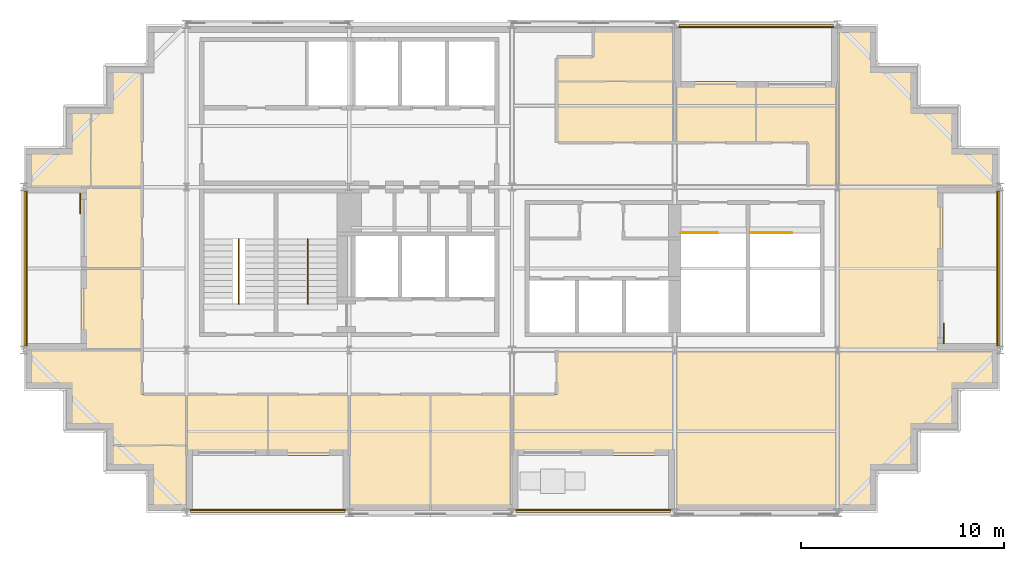
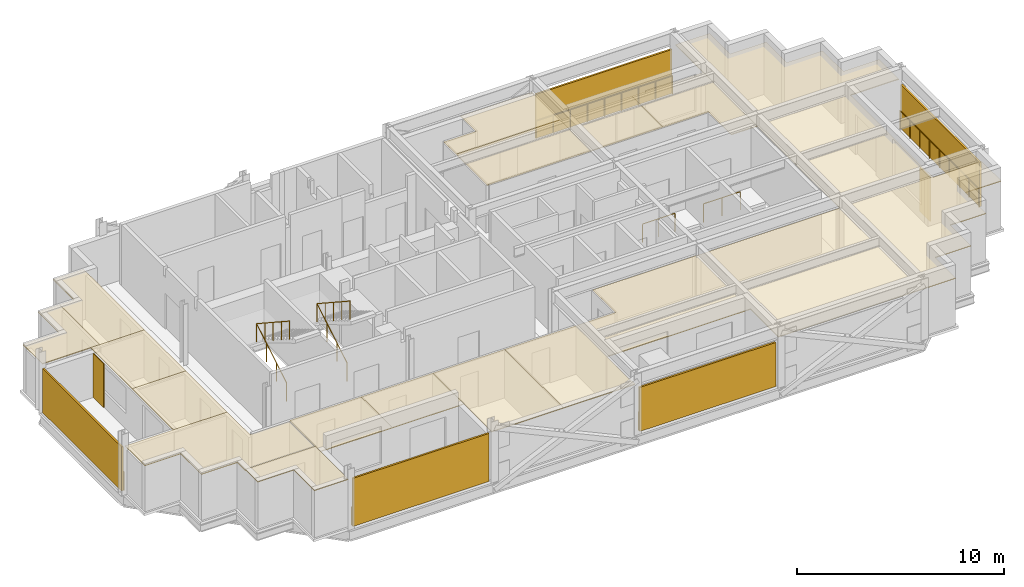
# One storey, part 9 of 10: 15 coverings, 9 railings, 7 shading devices.
"""IFC4 building model written with IfcOpenShell, lengths in metres."""

from ifc_helpers import new_model, si_unit, direction, frame, origin, origin_2d, place, context, subcontext, project, spatial, polyline, rectangle, circle, outline, extrude, material, layer, layer_set, type_object, element, save


model = new_model("IFC4")

# Units and contexts
model_context = context("Model", 3, precision=1e-05, world=origin(), true_north=direction((0.0, 1.0)))
body_context = subcontext(model_context, "Body", "Model", "MODEL_VIEW")
ifc_project = project(units=[si_unit("LENGTHUNIT", "METRE"), si_unit("AREAUNIT", "SQUARE_METRE"), si_unit("VOLUMEUNIT", "CUBIC_METRE"), si_unit("PLANEANGLEUNIT", "RADIAN"), si_unit("MASSUNIT", "GRAM", prefix="KILO")], contexts=[model_context])

# Site, building, storey
site_placement = place(None, origin())
site = spatial("IfcSite", under=ifc_project, at=site_placement, CompositionType="ELEMENT")
building_placement = place(site_placement, origin())
building = spatial("IfcBuilding", under=site, at=building_placement, Name="Immortelle Media Tower", CompositionType="ELEMENT")
storey_placement = place(building_placement, frame((0.0, 0.0, 295.0)))
storey = spatial("IfcBuildingStorey", under=building, at=storey_placement, Name="L65", CompositionType="ELEMENT", Elevation=295.0)

# Railings
ifc_material_1 = material(Name="Powder-coated aluminium fretwork panel, laminated glass backing", Category="aluminium")
railing_type_1 = type_object("IfcRailingType", Name="Fretwork balustrade 1100", PredefinedType="BALUSTRADE", material=ifc_material_1)
railing_1_placement = place(storey_placement, frame((8.1865234375, 0.139892578125, 0.0)))
element("IfcRailing", 1, at=railing_1_placement, inside=storey, type_object=railing_type_1, Name="Fretwork balustrade L65 S0", PredefinedType="BALUSTRADE", context=body_context, shape_type="SweptSolid", body=[
    extrude(circle(Radius=0.02490234375, at=origin_2d()), frame((0.0, 0.0, 1.0751953125), z_axis=(1.0, 0.0, 0.0), x_axis=(0.0, 1.0, 0.0)), (0.0, 0.0, 1.0), 7.614013671875),
    extrude(circle(Radius=0.02001953125, at=origin_2d()), origin(), (0.0, 0.0, 1.0), 1.050048828125),
    extrude(circle(Radius=0.02001953125, at=origin_2d()), frame((0.95166015625, 0.0, 0.0)), (0.0, 0.0, 1.0), 1.050048828125),
    extrude(circle(Radius=0.02001953125, at=origin_2d()), frame((1.903564453125, 0.0, 0.0)), (0.0, 0.0, 1.0), 1.050048828125),
    extrude(circle(Radius=0.02001953125, at=origin_2d()), frame((2.855224609375, 0.0, 0.0)), (0.0, 0.0, 1.0), 1.050048828125),
    extrude(circle(Radius=0.02001953125, at=origin_2d()), frame((3.80712890625, 0.0, 0.0)), (0.0, 0.0, 1.0), 1.050048828125),
    extrude(circle(Radius=0.02001953125, at=origin_2d()), frame((4.7587890625, 0.0, 0.0)), (0.0, 0.0, 1.0), 1.050048828125),
    extrude(circle(Radius=0.02001953125, at=origin_2d()), frame((5.71044921875, 0.0, 0.0)), (0.0, 0.0, 1.0), 1.050048828125),
    extrude(circle(Radius=0.02001953125, at=origin_2d()), frame((6.662353515625, 0.0, 0.0)), (0.0, 0.0, 1.0), 1.050048828125),
    extrude(circle(Radius=0.02001953125, at=origin_2d()), frame((7.614013671875, 0.0, 0.0)), (0.0, 0.0, 1.0), 1.050048828125),
])
railing_2_placement = place(storey_placement, frame((24.199462890625, 0.139892578125, 0.0)))
element("IfcRailing", 2, at=railing_2_placement, inside=storey, type_object=railing_type_1, Name="Fretwork balustrade L65 S2", PredefinedType="BALUSTRADE", context=body_context, shape_type="SweptSolid", body=[
    extrude(circle(Radius=0.02490234375, at=origin_2d()), frame((0.0, 0.0, 1.0751953125), z_axis=(1.0, 0.0, 0.0), x_axis=(0.0, 1.0, 0.0)), (0.0, 0.0, 1.0), 7.60107421875),
    extrude(circle(Radius=0.02001953125, at=origin_2d()), origin(), (0.0, 0.0, 1.0), 1.050048828125),
    extrude(circle(Radius=0.02001953125, at=origin_2d()), frame((0.9501953125, 0.0, 0.0)), (0.0, 0.0, 1.0), 1.050048828125),
    extrude(circle(Radius=0.02001953125, at=origin_2d()), frame((1.900390625, 0.0, 0.0)), (0.0, 0.0, 1.0), 1.050048828125),
    extrude(circle(Radius=0.02001953125, at=origin_2d()), frame((2.850341796875, 0.0, 0.0)), (0.0, 0.0, 1.0), 1.050048828125),
    extrude(circle(Radius=0.02001953125, at=origin_2d()), frame((3.800537109375, 0.0, 0.0)), (0.0, 0.0, 1.0), 1.050048828125),
    extrude(circle(Radius=0.02001953125, at=origin_2d()), frame((4.750732421875, 0.0, 0.0)), (0.0, 0.0, 1.0), 1.050048828125),
    extrude(circle(Radius=0.02001953125, at=origin_2d()), frame((5.70068359375, 0.0, 0.0)), (0.0, 0.0, 1.0), 1.050048828125),
    extrude(circle(Radius=0.02001953125, at=origin_2d()), frame((6.65087890625, 0.0, 0.0)), (0.0, 0.0, 1.0), 1.050048828125),
    extrude(circle(Radius=0.02001953125, at=origin_2d()), frame((7.60107421875, 0.0, 0.0)), (0.0, 0.0, 1.0), 1.050048828125),
])
railing_3_placement = place(storey_placement, frame((47.860107421875, 8.18408203125, 0.0)))
element("IfcRailing", 3, at=railing_3_placement, inside=storey, type_object=railing_type_1, Name="Fretwork balustrade L65 E0", PredefinedType="BALUSTRADE", context=body_context, shape_type="SweptSolid", body=[
    extrude(circle(Radius=0.02490234375, at=origin_2d()), frame((0.0, 0.0, 1.0751953125), z_axis=(0.0, 1.0, 0.0), x_axis=(-1.0, 0.0, 0.0)), (0.0, 0.0, 1.0), 7.6318359375),
    extrude(circle(Radius=0.02001953125, at=origin_2d()), origin(), (0.0, 0.0, 1.0), 1.050048828125),
    extrude(circle(Radius=0.02001953125, at=origin_2d()), frame((0.0, 0.9541015625, 0.0)), (0.0, 0.0, 1.0), 1.050048828125),
    extrude(circle(Radius=0.02001953125, at=origin_2d()), frame((0.0, 1.907958984375, 0.0)), (0.0, 0.0, 1.0), 1.050048828125),
    extrude(circle(Radius=0.02001953125, at=origin_2d()), frame((0.0, 2.86181640625, 0.0)), (0.0, 0.0, 1.0), 1.050048828125),
    extrude(circle(Radius=0.02001953125, at=origin_2d()), frame((0.0, 3.81591796875, 0.0)), (0.0, 0.0, 1.0), 1.050048828125),
    extrude(circle(Radius=0.02001953125, at=origin_2d()), frame((0.0, 4.77001953125, 0.0)), (0.0, 0.0, 1.0), 1.050048828125),
    extrude(circle(Radius=0.02001953125, at=origin_2d()), frame((0.0, 5.723876953125, 0.0)), (0.0, 0.0, 1.0), 1.050048828125),
    extrude(circle(Radius=0.02001953125, at=origin_2d()), frame((0.0, 6.677734375, 0.0)), (0.0, 0.0, 1.0), 1.050048828125),
    extrude(circle(Radius=0.02001953125, at=origin_2d()), frame((0.0, 7.6318359375, 0.0)), (0.0, 0.0, 1.0), 1.050048828125),
])
railing_4_placement = place(storey_placement, frame((39.8134765625, 23.860107421875, 0.0)))
element("IfcRailing", 4, at=railing_4_placement, inside=storey, type_object=railing_type_1, Name="Fretwork balustrade L65 N0", PredefinedType="BALUSTRADE", context=body_context, shape_type="SweptSolid", body=[
    extrude(circle(Radius=0.02490234375, at=origin_2d()), frame((0.0, 0.0, 1.0751953125), z_axis=(-1.0, 0.0, 0.0), x_axis=(0.0, -1.0, 0.0)), (0.0, 0.0, 1.0), 7.614013671875),
    extrude(circle(Radius=0.02001953125, at=origin_2d()), origin(), (0.0, 0.0, 1.0), 1.050048828125),
    extrude(circle(Radius=0.02001953125, at=origin_2d()), frame((-0.95166015625, 0.0, 0.0)), (0.0, 0.0, 1.0), 1.050048828125),
    extrude(circle(Radius=0.02001953125, at=origin_2d()), frame((-1.903564453125, 0.0, 0.0)), (0.0, 0.0, 1.0), 1.050048828125),
    extrude(circle(Radius=0.02001953125, at=origin_2d()), frame((-2.855224609375, 0.0, 0.0)), (0.0, 0.0, 1.0), 1.050048828125),
    extrude(circle(Radius=0.02001953125, at=origin_2d()), frame((-3.80712890625, 0.0, 0.0)), (0.0, 0.0, 1.0), 1.050048828125),
    extrude(circle(Radius=0.02001953125, at=origin_2d()), frame((-4.7587890625, 0.0, 0.0)), (0.0, 0.0, 1.0), 1.050048828125),
    extrude(circle(Radius=0.02001953125, at=origin_2d()), frame((-5.71044921875, 0.0, 0.0)), (0.0, 0.0, 1.0), 1.050048828125),
    extrude(circle(Radius=0.02001953125, at=origin_2d()), frame((-6.662353515625, 0.0, 0.0)), (0.0, 0.0, 1.0), 1.050048828125),
    extrude(circle(Radius=0.02001953125, at=origin_2d()), frame((-7.614013671875, 0.0, 0.0)), (0.0, 0.0, 1.0), 1.050048828125),
])
railing_5_placement = place(storey_placement, frame((0.139892578125, 15.81591796875, 0.0)))
element("IfcRailing", 5, at=railing_5_placement, inside=storey, type_object=railing_type_1, Name="Fretwork balustrade L65 W0", PredefinedType="BALUSTRADE", context=body_context, shape_type="SweptSolid", body=[
    extrude(circle(Radius=0.02490234375, at=origin_2d()), frame((0.0, 0.0, 1.0751953125), z_axis=(0.0, -1.0, 0.0), x_axis=(1.0, 0.0, 0.0)), (0.0, 0.0, 1.0), 7.6318359375),
    extrude(circle(Radius=0.02001953125, at=origin_2d()), origin(), (0.0, 0.0, 1.0), 1.050048828125),
    extrude(circle(Radius=0.02001953125, at=origin_2d()), frame((0.0, -0.9541015625, 0.0)), (0.0, 0.0, 1.0), 1.050048828125),
    extrude(circle(Radius=0.02001953125, at=origin_2d()), frame((0.0, -1.907958984375, 0.0)), (0.0, 0.0, 1.0), 1.050048828125),
    extrude(circle(Radius=0.02001953125, at=origin_2d()), frame((0.0, -2.86181640625, 0.0)), (0.0, 0.0, 1.0), 1.050048828125),
    extrude(circle(Radius=0.02001953125, at=origin_2d()), frame((0.0, -3.81591796875, 0.0)), (0.0, 0.0, 1.0), 1.050048828125),
    extrude(circle(Radius=0.02001953125, at=origin_2d()), frame((0.0, -4.77001953125, 0.0)), (0.0, 0.0, 1.0), 1.050048828125),
    extrude(circle(Radius=0.02001953125, at=origin_2d()), frame((0.0, -5.723876953125, 0.0)), (0.0, 0.0, 1.0), 1.050048828125),
    extrude(circle(Radius=0.02001953125, at=origin_2d()), frame((0.0, -6.677734375, 0.0)), (0.0, 0.0, 1.0), 1.050048828125),
    extrude(circle(Radius=0.02001953125, at=origin_2d()), frame((0.0, -7.6318359375, 0.0)), (0.0, 0.0, 1.0), 1.050048828125),
])

# Shading devices
ifc_material_2 = material(Name="Pale aluminium louvre blades", Category="aluminium")
ifc_layer_1 = layer(ifc_material_2, 0.10009765625)
ifc_layer_set_1 = layer_set([ifc_layer_1], Name="Pale aluminium louvre blades")
shading_device_type_1 = type_object("IfcShadingDeviceType", Name="Jalousie screen 100", PredefinedType="JALOUSIE", material=ifc_layer_set_1)
shading_device_1_placement = place(storey_placement, frame((11.993408203125, 0.050048828125, 0.0), z_axis=(0.0, 0.0, 1.0), x_axis=(1.0, 0.0, 0.0)))
element("IfcShadingDevice", 6, at=shading_device_1_placement, inside=storey, type_object=shading_device_type_1, Name="Jalousie screen L65 S0", PredefinedType="JALOUSIE", context=body_context, shape_type="SweptSolid", body=[
    extrude(rectangle(XDim=7.614013671875, YDim=0.10009765625, at=origin_2d()), origin(), (0.0, 0.0, 1.0), 2.837890625),
])
shading_device_2_placement = place(storey_placement, frame((28.0, 0.050048828125, 0.0), z_axis=(0.0, 0.0, 1.0), x_axis=(1.0, 0.0, 0.0)))
element("IfcShadingDevice", 7, at=shading_device_2_placement, inside=storey, type_object=shading_device_type_1, Name="Jalousie screen L65 S2", PredefinedType="JALOUSIE", context=body_context, shape_type="SweptSolid", body=[
    extrude(rectangle(XDim=7.60107421875, YDim=0.10009765625, at=origin_2d()), origin(), (0.0, 0.0, 1.0), 2.60009765625),
])
shading_device_3_placement = place(storey_placement, frame((47.949951171875, 12.0, 0.0), z_axis=(0.0, 0.0, 1.0), x_axis=(0.0, 1.0, 0.0)))
element("IfcShadingDevice", 8, at=shading_device_3_placement, inside=storey, type_object=shading_device_type_1, Name="Jalousie screen L65 E0", PredefinedType="JALOUSIE", context=body_context, shape_type="SweptSolid", body=[
    extrude(rectangle(XDim=7.632080078125, YDim=0.10009765625, at=origin_2d()), origin(), (0.0, 0.0, 1.0), 2.60009765625),
])
shading_device_4_placement = place(storey_placement, frame((36.006591796875, 23.949951171875, 0.0), z_axis=(0.0, 0.0, 1.0), x_axis=(-1.0, 0.0, 0.0)))
element("IfcShadingDevice", 9, at=shading_device_4_placement, inside=storey, type_object=shading_device_type_1, Name="Jalousie screen L65 N0", PredefinedType="JALOUSIE", context=body_context, shape_type="SweptSolid", body=[
    extrude(rectangle(XDim=7.614013671875, YDim=0.10009765625, at=origin_2d()), origin(), (0.0, 0.0, 1.0), 2.60009765625),
])
shading_device_5_placement = place(storey_placement, frame((0.050048828125, 12.0, 0.0), z_axis=(0.0, 0.0, 1.0), x_axis=(0.0, -1.0, 0.0)))
element("IfcShadingDevice", 10, at=shading_device_5_placement, inside=storey, type_object=shading_device_type_1, Name="Jalousie screen L65 W0", PredefinedType="JALOUSIE", context=body_context, shape_type="SweptSolid", body=[
    extrude(rectangle(XDim=7.632080078125, YDim=0.10009765625, at=origin_2d()), origin(), (0.0, 0.0, 1.0), 2.60009765625),
])
ifc_material_3 = material(Name="Pale aluminium louvre blades in a folding frame", Category="aluminium")
ifc_layer_2 = layer(ifc_material_3, 0.050048828125)
ifc_layer_set_2 = layer_set([ifc_layer_2], Name="Pale aluminium louvre blades in a folding frame")
shading_device_type_2 = type_object("IfcShadingDeviceType", Name="Louvred loggia shutter", PredefinedType="SHUTTER", material=ifc_layer_set_2)
for number, where, z_axis, x_axis, name in (
    (11, (45.22509765625, 8.800048828125, 0.0), (0.0, 0.0, 1.0), (0.0, 1.0, 0.0), "Loggia shutter L65 E0"),
    (12, (2.77490234375, 15.199951171875, 0.0), (0.0, 0.0, 1.0), (0.0, -1.0, 0.0), "Loggia shutter L65 W0"),
):
    element("IfcShadingDevice", number, at=place(storey_placement, frame(where, z_axis=z_axis, x_axis=x_axis)), inside=storey, type_object=shading_device_type_2, Name=name, PredefinedType="SHUTTER", context=body_context, shape_type="SweptSolid", body=[
        extrude(rectangle(XDim=1.0, YDim=0.050048828125, at=origin_2d()), origin(), (0.0, 0.0, 1.0), 2.60009765625),
    ])

# Railings
ifc_material_4 = material(Name="Stainless steel AISI 316", Category="steel")
railing_type_2 = type_object("IfcRailingType", Name="Stair guard 1100", PredefinedType="GUARDRAIL", material=ifc_material_4)
for number, where, name in (
    (13, (10.574951171875, 10.5400390625, 0.173828125), "Stair guard SW1"),
    (14, (13.949951171875, 10.5400390625, 0.173828125), "Stair guard SW2"),
):
    element("IfcRailing", number, at=place(storey_placement, frame(where)), inside=storey, type_object=railing_type_2, Name=name, PredefinedType="GUARDRAIL", context=body_context, shape_type="SweptSolid", body=[
        extrude(circle(Radius=0.02392578125, at=origin_2d()), frame((0.0, 0.0, 1.076171875), z_axis=(0.0, 0.857582100076, 0.514347102285), x_axis=(-1.0, 0.0, 0.0)), (0.0, 0.0, 1.0), 3.381591796875),
        extrude(circle(Radius=0.02392578125, at=origin_2d()), frame((0.0, 2.89990234375, 2.8154296875), z_axis=(0.0, -0.836827423118, 0.547466769693), x_axis=(1.0, 0.0, 0.0)), (0.0, 0.0, 1.0), 3.81201171875),
        extrude(circle(Radius=0.02099609375, at=origin_2d()), origin(), (0.0, 0.0, 1.0), 1.052001953125),
        extrude(circle(Radius=0.02099609375, at=origin_2d()), frame((0.0, 0.966552734375, 0.579833984375)), (0.0, 0.0, 1.0), 1.052001953125),
        extrude(circle(Radius=0.02099609375, at=origin_2d()), frame((0.0, 1.933349609375, 1.159423828125)), (0.0, 0.0, 1.0), 1.052001953125),
        extrude(circle(Radius=0.02099609375, at=origin_2d()), frame((0.0, 2.89990234375, 1.7392578125)), (0.0, 0.0, 1.0), 1.052001953125),
        extrude(circle(Radius=0.02099609375, at=origin_2d()), frame((0.0, 2.1025390625, 2.260986328125)), (0.0, 0.0, 1.0), 1.052001953125),
        extrude(circle(Radius=0.02099609375, at=origin_2d()), frame((0.0, 1.304931640625, 2.78271484375)), (0.0, 0.0, 1.0), 1.052001953125),
        extrude(circle(Radius=0.02099609375, at=origin_2d()), frame((0.0, 0.50732421875, 3.304443359375)), (0.0, 0.0, 1.0), 1.052001953125),
        extrude(circle(Radius=0.02099609375, at=origin_2d()), frame((0.0, -0.2900390625, 3.826171875)), (0.0, 0.0, 1.0), 1.052001953125),
    ])
railing_6_placement = place(storey_placement, frame((32.300048828125, 13.75, 0.0)))
element("IfcRailing", 15, at=railing_6_placement, inside=storey, type_object=railing_type_2, Name="Stair guard SE1", PredefinedType="GUARDRAIL", context=body_context, shape_type="SweptSolid", body=[
    extrude(circle(Radius=0.02392578125, at=origin_2d()), frame((0.0, 0.0, 1.076171875), z_axis=(1.0, 0.0, 0.0), x_axis=(0.0, 1.0, 0.0)), (0.0, 0.0, 1.0), 1.800048828125),
    extrude(circle(Radius=0.02099609375, at=origin_2d()), origin(), (0.0, 0.0, 1.0), 1.052001953125),
    extrude(circle(Radius=0.02099609375, at=origin_2d()), frame((0.89990234375, 0.0, 0.0)), (0.0, 0.0, 1.0), 1.052001953125),
    extrude(circle(Radius=0.02099609375, at=origin_2d()), frame((1.800048828125, 0.0, 0.0)), (0.0, 0.0, 1.0), 1.052001953125),
])
railing_7_placement = place(storey_placement, frame((35.699951171875, 13.75, 0.0)))
element("IfcRailing", 16, at=railing_7_placement, inside=storey, type_object=railing_type_2, Name="Stair guard SE2", PredefinedType="GUARDRAIL", context=body_context, shape_type="SweptSolid", body=[
    extrude(circle(Radius=0.02392578125, at=origin_2d()), frame((0.0, 0.0, 1.076171875), z_axis=(1.0, 0.0, 0.0), x_axis=(0.0, 1.0, 0.0)), (0.0, 0.0, 1.0), 2.050048828125),
    extrude(circle(Radius=0.02099609375, at=origin_2d()), origin(), (0.0, 0.0, 1.0), 1.052001953125),
    extrude(circle(Radius=0.02099609375, at=origin_2d()), frame((1.02490234375, 0.0, 0.0)), (0.0, 0.0, 1.0), 1.052001953125),
    extrude(circle(Radius=0.02099609375, at=origin_2d()), frame((2.050048828125, 0.0, 0.0)), (0.0, 0.0, 1.0), 1.052001953125),
])

# Coverings
ifc_material_5 = material(Name="Mineral fibre tile ceiling")
ifc_layer_3 = layer(ifc_material_5, 0.050048828125)
ifc_layer_set_3 = layer_set([ifc_layer_3], Name="Mineral fibre tile ceiling")
covering_type = type_object("IfcCoveringType", Name="Suspended ceiling 50", PredefinedType="CEILING", material=ifc_layer_set_3)
covering_1_placement = place(storey_placement, frame((0.0, 0.0, 2.763916015625)))
element("IfcCovering", 17, at=covering_1_placement, inside=storey, type_object=covering_type, Name="Ceiling L65-001", PredefinedType="CEILING", context=body_context, shape_type="SweptSolid", body=[
    extrude(outline(polyline([(16.0, 2.800048828125), (16.0, 5.800048828125), (20.0, 5.800048828125), (20.0, 0.10009765625), (16.0, 0.10009765625), (16.0, 2.800048828125)])), origin(), (0.0, 0.0, 1.0), 0.050048828125),
])
covering_2_placement = place(storey_placement, frame((0.0, 0.0, 2.763916015625)))
element("IfcCovering", 18, at=covering_2_placement, inside=storey, type_object=covering_type, Name="Ceiling L65-002", PredefinedType="CEILING", context=body_context, shape_type="SweptSolid", body=[
    extrude(outline(polyline([(24.0, 5.800048828125), (24.0, 2.800048828125), (24.0, 0.10009765625), (20.0, 0.10009765625), (20.0, 5.800048828125), (24.0, 5.800048828125)])), origin(), (0.0, 0.0, 1.0), 0.050048828125),
])
covering_3_placement = place(storey_placement, frame((0.0, 0.0, 2.763916015625)))
element("IfcCovering", 19, at=covering_3_placement, inside=storey, type_object=covering_type, Name="Ceiling L65-003", PredefinedType="CEILING", context=body_context, shape_type="SweptSolid", body=[
    extrude(outline(polyline([(8.0, 5.800048828125), (12.0, 5.800048828125), (12.0, 2.800048828125), (8.0, 2.800048828125), (8.0, 5.800048828125)])), origin(), (0.0, 0.0, 1.0), 0.050048828125),
])
covering_4_placement = place(storey_placement, frame((0.0, 0.0, 2.763916015625)))
element("IfcCovering", 20, at=covering_4_placement, inside=storey, type_object=covering_type, Name="Ceiling L65-004", PredefinedType="CEILING", context=body_context, shape_type="SweptSolid", body=[
    extrude(outline(polyline([(16.0, 5.800048828125), (16.0, 2.800048828125), (12.0, 2.800048828125), (12.0, 5.800048828125), (16.0, 5.800048828125)])), origin(), (0.0, 0.0, 1.0), 0.050048828125),
])
covering_5_placement = place(storey_placement, frame((0.0, 0.0, 2.699951171875)))
element("IfcCovering", 21, at=covering_5_placement, inside=storey, type_object=covering_type, Name="Ceiling L65-005", PredefinedType="CEILING", context=body_context, shape_type="SweptSolid", body=[
    extrude(outline(polyline([(4.10009765625, 4.10009765625), (2.10009765625, 4.10009765625), (2.10009765625, 6.10009765625), (0.10009765625, 6.10009765625), (0.10009765625, 8.0), (2.800048828125, 8.0), (5.800048828125, 8.0), (5.800048828125, 5.800048828125), (8.0, 5.800048828125), (8.0, 3.300048828125), (4.10009765625, 3.300048828125), (4.10009765625, 4.10009765625)])), origin(), (0.0, 0.0, 1.0), 0.050048828125),
])
covering_6_placement = place(storey_placement, frame((0.0, 0.0, 2.763916015625)))
element("IfcCovering", 22, at=covering_6_placement, inside=storey, type_object=covering_type, Name="Ceiling L65-006", PredefinedType="CEILING", context=body_context, shape_type="SweptSolid", body=[
    extrude(outline(polyline([(6.10009765625, 2.10009765625), (4.10009765625, 2.10009765625), (4.10009765625, 3.300048828125), (8.0, 3.300048828125), (8.0, 2.800048828125), (8.0, 0.10009765625), (6.10009765625, 0.10009765625), (6.10009765625, 2.10009765625)])), origin(), (0.0, 0.0, 1.0), 0.050048828125),
])
covering_7_placement = place(storey_placement, frame((0.0, 0.0, 2.763916015625)))
element("IfcCovering", 23, at=covering_7_placement, inside=storey, type_object=covering_type, Name="Ceiling L65-007", PredefinedType="CEILING", context=body_context, shape_type="SweptSolid", body=[
    extrude(outline(polyline([(26.199951171875, 5.800048828125), (26.199951171875, 8.0), (32.0, 8.0), (40.0, 8.0), (40.0, 16.0), (40.0, 21.199951171875), (40.0, 23.89990234375), (41.89990234375, 23.89990234375), (41.89990234375, 21.89990234375), (43.89990234375, 21.89990234375), (43.89990234375, 19.89990234375), (45.89990234375, 19.89990234375), (45.89990234375, 17.89990234375), (47.89990234375, 17.89990234375), (47.89990234375, 16.0), (45.199951171875, 16.0), (45.199951171875, 8.0), (47.89990234375, 8.0), (47.89990234375, 6.10009765625), (45.89990234375, 6.10009765625), (45.89990234375, 4.10009765625), (43.89990234375, 4.10009765625), (43.89990234375, 2.10009765625), (41.89990234375, 2.10009765625), (41.89990234375, 0.10009765625), (40.0, 0.10009765625), (32.0, 0.10009765625), (32.0, 2.800048828125), (24.0, 2.800048828125), (24.0, 5.800048828125), (26.199951171875, 5.800048828125)])), origin(), (0.0, 0.0, 1.0), 0.050048828125),
])
covering_8_placement = place(storey_placement, frame((0.0, 0.0, 2.699951171875)))
element("IfcCovering", 24, at=covering_8_placement, inside=storey, type_object=covering_type, Name="Ceiling L65-008", PredefinedType="CEILING", context=body_context, shape_type="SweptSolid", body=[
    extrude(outline(polyline([(2.800048828125, 8.0), (2.800048828125, 12.0), (5.800048828125, 12.0), (5.800048828125, 8.0), (2.800048828125, 8.0)])), origin(), (0.0, 0.0, 1.0), 0.050048828125),
])
covering_9_placement = place(storey_placement, frame((0.0, 0.0, 2.699951171875)))
element("IfcCovering", 25, at=covering_9_placement, inside=storey, type_object=covering_type, Name="Ceiling L65-009", PredefinedType="CEILING", context=body_context, shape_type="SweptSolid", body=[
    extrude(outline(polyline([(2.800048828125, 16.0), (5.800048828125, 16.0), (5.800048828125, 12.0), (2.800048828125, 12.0), (2.800048828125, 16.0)])), origin(), (0.0, 0.0, 1.0), 0.050048828125),
])
covering_10_placement = place(storey_placement, frame((0.0, 0.0, 2.699951171875)))
element("IfcCovering", 26, at=covering_10_placement, inside=storey, type_object=covering_type, Name="Ceiling L65-010", PredefinedType="CEILING", context=body_context, shape_type="SweptSolid", body=[
    extrude(outline(polyline([(4.10009765625, 19.89990234375), (4.10009765625, 21.89990234375), (5.800048828125, 21.89990234375), (5.800048828125, 19.449951171875), (5.800048828125, 16.0), (3.300048828125, 16.0), (3.300048828125, 19.89990234375), (4.10009765625, 19.89990234375)])), origin(), (0.0, 0.0, 1.0), 0.050048828125),
])
covering_11_placement = place(storey_placement, frame((0.0, 0.0, 2.699951171875)))
element("IfcCovering", 27, at=covering_11_placement, inside=storey, type_object=covering_type, Name="Ceiling L65-011", PredefinedType="CEILING", context=body_context, shape_type="SweptSolid", body=[
    extrude(outline(polyline([(2.10009765625, 19.89990234375), (3.300048828125, 19.89990234375), (3.300048828125, 16.0), (2.800048828125, 16.0), (0.10009765625, 16.0), (0.10009765625, 17.89990234375), (2.10009765625, 17.89990234375), (2.10009765625, 19.89990234375)])), origin(), (0.0, 0.0, 1.0), 0.050048828125),
])
covering_12_placement = place(storey_placement, frame((0.0, 0.0, 2.763916015625)))
element("IfcCovering", 28, at=covering_12_placement, inside=storey, type_object=covering_type, Name="Ceiling L65-012", PredefinedType="CEILING", context=body_context, shape_type="SweptSolid", body=[
    extrude(outline(polyline([(32.0, 18.199951171875), (32.0, 21.199951171875), (36.0, 21.199951171875), (36.0, 18.199951171875), (32.0, 18.199951171875)])), origin(), (0.0, 0.0, 1.0), 0.050048828125),
])
covering_13_placement = place(storey_placement, frame((0.0, 0.0, 2.763916015625)))
element("IfcCovering", 29, at=covering_13_placement, inside=storey, type_object=covering_type, Name="Ceiling L65-013", PredefinedType="CEILING", context=body_context, shape_type="SweptSolid", body=[
    extrude(outline(polyline([(38.550048828125, 18.199951171875), (36.0, 18.199951171875), (36.0, 21.199951171875), (40.0, 21.199951171875), (40.0, 16.0), (38.550048828125, 16.0), (38.550048828125, 18.199951171875)])), origin(), (0.0, 0.0, 1.0), 0.050048828125),
])
covering_14_placement = place(storey_placement, frame((0.0, 0.0, 2.763916015625)))
element("IfcCovering", 30, at=covering_14_placement, inside=storey, type_object=covering_type, Name="Ceiling L65-014", PredefinedType="CEILING", context=body_context, shape_type="SweptSolid", body=[
    extrude(outline(polyline([(26.199951171875, 18.199951171875), (26.199951171875, 19.449951171875), (26.199951171875, 21.199951171875), (32.0, 21.199951171875), (32.0, 18.199951171875), (27.0, 18.199951171875), (26.199951171875, 18.199951171875)])), origin(), (0.0, 0.0, 1.0), 0.050048828125),
])
covering_15_placement = place(storey_placement, frame((0.0, 0.0, 2.763916015625)))
element("IfcCovering", 31, at=covering_15_placement, inside=storey, type_object=covering_type, Name="Ceiling L65-015", PredefinedType="CEILING", context=body_context, shape_type="SweptSolid", body=[
    extrude(outline(polyline([(26.199951171875, 22.39990234375), (28.0, 22.39990234375), (28.0, 23.89990234375), (32.0, 23.89990234375), (32.0, 21.199951171875), (26.199951171875, 21.199951171875), (26.199951171875, 22.39990234375)])), origin(), (0.0, 0.0, 1.0), 0.050048828125),
])

save(model, "model.ifc")
